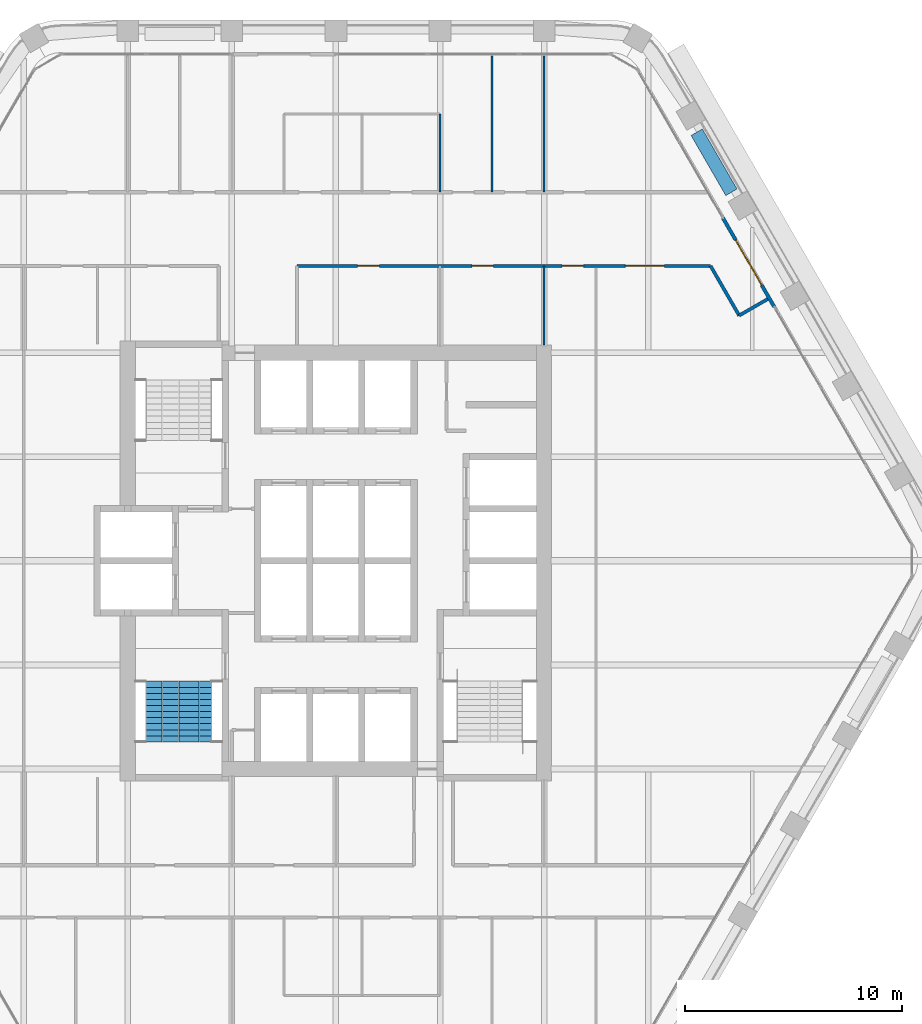
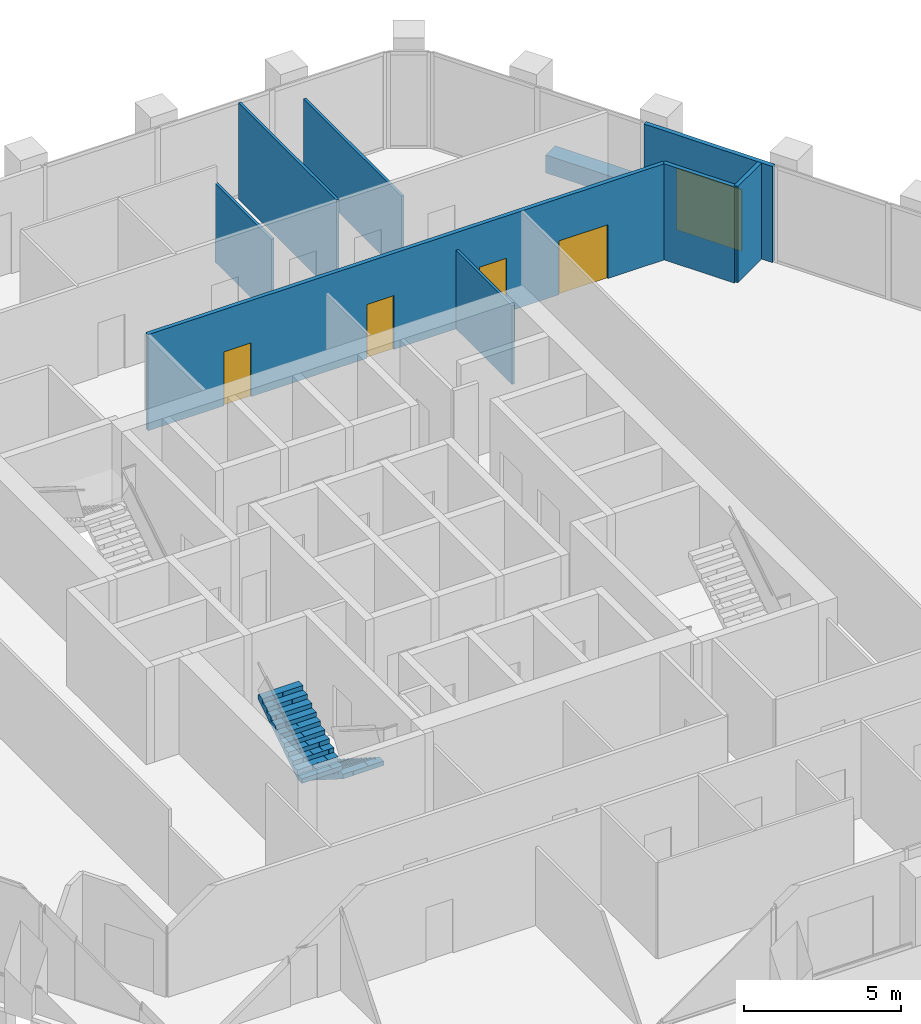
# One storey, part 12 of 15: 9 walls, 5 doors, 2 stair flights, 5 openings, 1 element without a shape of its own.
"""IFC4 building model written with IfcOpenShell, lengths in metres."""

from ifc_helpers import new_model, si_unit, direction, frame, frame_2d, origin, place, context, subcontext, project, spatial, polyline, rectangle, outline, extrude, material, layer, layer_set, type_object, element, fill, aggregate, save


model = new_model("IFC4")

# Units and contexts
model_context = context("Model", 3, precision=1e-05, world=origin(), true_north=direction((0.0, 1.0)))
body_context = subcontext(model_context, "Body", "Model", "MODEL_VIEW")
ifc_project = project(units=[si_unit("LENGTHUNIT", "METRE"), si_unit("AREAUNIT", "SQUARE_METRE"), si_unit("VOLUMEUNIT", "CUBIC_METRE"), si_unit("PLANEANGLEUNIT", "RADIAN"), si_unit("MASSUNIT", "GRAM", prefix="KILO")], contexts=[model_context])

# Site, building, storey
site_placement = place(None, origin())
site = spatial("IfcSite", under=ifc_project, at=site_placement, CompositionType="ELEMENT")
building_placement = place(site_placement, origin())
building = spatial("IfcBuilding", under=site, at=building_placement, Name="Kolab Exchange Tower", CompositionType="ELEMENT")
storey_placement = place(building_placement, frame((0.0, 0.0, 170.0)))
storey = spatial("IfcBuildingStorey", under=building, at=storey_placement, Name="L35", CompositionType="ELEMENT", Elevation=170.0)

# Wall, opening, door
ifc_material_1 = material(Name="Aluminium EN AW-6063 T6", Category="aluminium")
ifc_layer_1 = layer(ifc_material_1, 0.159912109375)
ifc_layer_set_1 = layer_set([ifc_layer_1], Name="Aluminium EN AW-6063 T6")
wall_type_1 = type_object("IfcWallType", Name="DOOR SURROUND WALL 160 ALUMINIUM FRAMED", PredefinedType="PARTITIONING", material=ifc_layer_set_1)
wall_1_placement = place(storey_placement, frame((17.8466796875, 15.811767578125, 0.0), z_axis=(0.0, 0.0, 1.0), x_axis=(0.5000167099, -0.866015756104, 0.0)))
wall_1 = element("IfcWall", 1, at=wall_1_placement, inside=storey, type_object=wall_type_1, Name="Door surround wall", PredefinedType="PARTITIONING", context=body_context, shape_type="SweptSolid", body=[
    extrude(rectangle(XDim=4.739990234375, YDim=0.159912109375, at=frame_2d((2.3701171875, 0.0))), origin(), (0.0, 0.0, 1.0), 3.75),
])
opening_1_placement = place(wall_1_placement, frame((1.169921875, 0.0, 0.0)))
opening_1 = element("IfcOpeningElement", 2, at=opening_1_placement, cuts=wall_1, Name="Opening GD1-065", PredefinedType="OPENING", context=body_context, shape_type="SweptSolid", body=[
    extrude(rectangle(XDim=2.39990234375, YDim=2.39990234375, at=frame_2d((1.199951171875, 1.199951171875))), frame((0.0, 0.08984375, 0.0), z_axis=(0.0, -1.0, 0.0), x_axis=(1.0, 0.0, 0.0)), (0.0, 0.0, 1.0), 0.179931640625),
])
door_type_1 = type_object("IfcDoorType", Name="LOGGIA SLIDING GLASS DOOR 2400 X 2400", OperationType="DOUBLE_DOOR_SINGLE_SWING", PredefinedType="DOOR", material=ifc_material_1)
door_1_placement = place(opening_1_placement, origin())
door_1 = element("IfcDoor", 3, at=door_1_placement, inside=storey, type_object=door_type_1, Name="Loggia door", OperationType="DOUBLE_DOOR_SLIDING", OverallHeight=2.39990234375, OverallWidth=2.39990234375, PredefinedType="DOOR", context=body_context, shape_type="SweptSolid", body=[
    extrude(rectangle(XDim=2.39990234375, YDim=2.39990234375, at=frame_2d((1.199951171875, 1.199951171875))), frame((0.0, 0.02490234375, 0.0), z_axis=(0.0, -1.0, 0.0), x_axis=(1.0, 0.0, 0.0)), (0.0, 0.0, 1.0), 0.050048828125),
])
fill(opening_1, door_1)

# Walls
ifc_material_2 = material(Name="Gypsum board", Category="gypsum")
ifc_layer_2 = layer(ifc_material_2, 0.10009765625)
ifc_layer_set_2 = layer_set([ifc_layer_2], Name="Gypsum board")
wall_type_2 = type_object("IfcWallType", Name="PARTITION 100", PredefinedType="PARTITIONING", material=ifc_layer_set_2)
wall_2_placement = place(storey_placement, frame((9.60009765625, 9.949951171875, 0.0), z_axis=(0.0, 0.0, 1.0), x_axis=(0.0, 1.0, 0.0)))
element("IfcWall", 4, at=wall_2_placement, inside=storey, type_object=wall_type_2, Name="Partition 003", PredefinedType="PARTITIONING", context=body_context, shape_type="SweptSolid", body=[
    extrude(rectangle(XDim=3.650146484375, YDim=0.10009765625, at=frame_2d((1.8251953125, 0.0))), origin(), (0.0, 0.0, 1.0), 3.06591796875),
])
wall_3_placement = place(storey_placement, frame((9.60009765625, 17.0, 0.0), z_axis=(0.0, 0.0, 1.0), x_axis=(0.0, 1.0, 0.0)))
element("IfcWall", 5, at=wall_3_placement, inside=storey, type_object=wall_type_2, Name="Partition 004", PredefinedType="PARTITIONING", context=body_context, shape_type="SweptSolid", body=[
    extrude(rectangle(XDim=6.271484375, YDim=0.10009765625, at=frame_2d((3.1357421875, 0.0))), origin(), (0.0, 0.0, 1.0), 3.06591796875),
])
wall_4_placement = place(storey_placement, frame((7.199951171875, 17.0, 0.0), z_axis=(0.0, 0.0, 1.0), x_axis=(0.0, 1.0, 0.0)))
element("IfcWall", 6, at=wall_4_placement, inside=storey, type_object=wall_type_2, Name="Partition 006", PredefinedType="PARTITIONING", context=body_context, shape_type="SweptSolid", body=[
    extrude(rectangle(XDim=6.271484375, YDim=0.10009765625, at=frame_2d((3.1357421875, 0.0))), origin(), (0.0, 0.0, 1.0), 3.75),
])
wall_5_placement = place(storey_placement, frame((4.800048828125, 17.0, 0.0), z_axis=(0.0, 0.0, 1.0), x_axis=(0.0, 1.0, 0.0)))
element("IfcWall", 7, at=wall_5_placement, inside=storey, type_object=wall_type_2, Name="Partition 011", PredefinedType="PARTITIONING", context=body_context, shape_type="SweptSolid", body=[
    extrude(rectangle(XDim=3.60009765625, YDim=0.10009765625, at=frame_2d((1.800048828125, 0.0))), origin(), (0.0, 0.0, 1.0), 3.06591796875),
])
ifc_layer_3 = layer(ifc_material_2, 0.14990234375)
ifc_layer_set_3 = layer_set([ifc_layer_3], Name="Gypsum board")
wall_type_3 = type_object("IfcWallType", Name="PARTITION 150 FIRE-RATED", PredefinedType="PARTITIONING", material=ifc_layer_set_3)
wall_6_placement = place(storey_placement, frame((17.276123046875, 13.60009765625, 0.0), z_axis=(0.0, 0.0, 1.0), x_axis=(0.499938597367, -0.866060851709, 0.0)))
element("IfcWall", 8, at=wall_6_placement, inside=storey, type_object=wall_type_3, Name="Partition 031", PredefinedType="PARTITIONING", context=body_context, shape_type="SweptSolid", body=[
    extrude(rectangle(XDim=2.639892578125, YDim=0.14990234375, at=frame_2d((1.31982421875, 0.0))), origin(), (0.0, 0.0, 1.0), 3.75),
])
wall_7_placement = place(storey_placement, frame((18.595947265625, 11.313720703125, 0.0), z_axis=(0.0, 0.0, 1.0), x_axis=(0.866030456496, 0.499991248344, 0.0)))
element("IfcWall", 9, at=wall_7_placement, inside=storey, type_object=wall_type_3, Name="Partition 033", PredefinedType="PARTITIONING", context=body_context, shape_type="SweptSolid", body=[
    extrude(rectangle(XDim=1.52001953125, YDim=0.14990234375, at=frame_2d((0.760009765625, 0.0))), origin(), (0.0, 0.0, 1.0), 3.75),
])

# Wall, openings, doors
wall_8_placement = place(storey_placement, frame((-1.800048828125, 13.60009765625, 0.0), z_axis=(0.0, 0.0, 1.0), x_axis=(1.0, 0.0, 0.0)))
wall_8 = element("IfcWall", 10, at=wall_8_placement, inside=storey, type_object=wall_type_3, Name="Partition 041", PredefinedType="PARTITIONING", context=body_context, shape_type="SweptSolid", body=[
    extrude(rectangle(XDim=19.076171875, YDim=0.14990234375, at=frame_2d((9.5380859375, 0.0))), origin(), (0.0, 0.0, 1.0), 3.75),
])
opening_2_placement = place(wall_8_placement, frame((2.800048828125, 0.0, 0.0)))
opening_2 = element("IfcOpeningElement", 11, at=opening_2_placement, cuts=wall_8, Name="Opening D1-473", PredefinedType="OPENING", context=body_context, shape_type="SweptSolid", body=[
    extrude(rectangle(XDim=1.0, YDim=2.10009765625, at=frame_2d((0.5, 1.050048828125))), frame((0.0, 0.0849609375, 0.0), z_axis=(0.0, -1.0, 0.0), x_axis=(1.0, 0.0, 0.0)), (0.0, 0.0, 1.0), 0.169921875),
])
opening_3_placement = place(wall_8_placement, frame((8.06494140625, 0.0, 0.0)))
opening_3 = element("IfcOpeningElement", 12, at=opening_3_placement, cuts=wall_8, Name="Opening D1-474", PredefinedType="OPENING", context=body_context, shape_type="SweptSolid", body=[
    extrude(rectangle(XDim=1.0, YDim=2.10009765625, at=frame_2d((0.5, 1.050048828125))), frame((0.0, 0.0849609375, 0.0), z_axis=(0.0, -1.0, 0.0), x_axis=(1.0, 0.0, 0.0)), (0.0, 0.0, 1.0), 0.169921875),
])
opening_4_placement = place(wall_8_placement, frame((12.22509765625, 0.0, 0.0)))
opening_4 = element("IfcOpeningElement", 13, at=opening_4_placement, cuts=wall_8, Name="Opening D1-492", PredefinedType="OPENING", context=body_context, shape_type="SweptSolid", body=[
    extrude(rectangle(XDim=1.0, YDim=2.10009765625, at=frame_2d((0.5, 1.050048828125))), frame((0.0, 0.0849609375, 0.0), z_axis=(0.0, -1.0, 0.0), x_axis=(1.0, 0.0, 0.0)), (0.0, 0.0, 1.0), 0.169921875),
])
opening_5_placement = place(wall_8_placement, frame((15.151611328125, 0.0, 0.0)))
opening_5 = element("IfcOpeningElement", 14, at=opening_5_placement, cuts=wall_8, Name="Opening D2-050", PredefinedType="OPENING", context=body_context, shape_type="SweptSolid", body=[
    extrude(rectangle(XDim=1.800048828125, YDim=2.10009765625, at=frame_2d((0.89990234375, 1.050048828125))), frame((0.0, 0.0849609375, 0.0), z_axis=(0.0, -1.0, 0.0), x_axis=(1.0, 0.0, 0.0)), (0.0, 0.0, 1.0), 0.169921875),
])
ifc_material_3 = material(Name="Steel S235", Category="steel")
door_type_2 = type_object("IfcDoorType", Name="DOUBLE DOOR 1800 FD60", OperationType="DOUBLE_DOOR_SINGLE_SWING", PredefinedType="DOOR", material=ifc_material_3)
door_2_placement = place(opening_5_placement, frame((1.800048828125, 0.0, 0.0), z_axis=(0.0, 0.0, 1.0), x_axis=(-1.0, 0.0, 0.0)))
door_2 = element("IfcDoor", 15, at=door_2_placement, inside=storey, type_object=door_type_2, Name="Door L35-054", OperationType="SINGLE_SWING_LEFT", OverallHeight=2.10009765625, OverallWidth=1.800048828125, PredefinedType="DOOR", context=body_context, shape_type="SweptSolid", body=[
    extrude(rectangle(XDim=1.800048828125, YDim=2.10009765625, at=frame_2d((0.89990234375, 1.050048828125))), frame((0.0, 0.02490234375, 0.0), z_axis=(0.0, -1.0, 0.0), x_axis=(1.0, 0.0, 0.0)), (0.0, 0.0, 1.0), 0.050048828125),
])
fill(opening_5, door_2)
door_type_3 = type_object("IfcDoorType", Name="FLUSH DOOR 1000 FD60", OperationType="SINGLE_SWING_LEFT", PredefinedType="DOOR", material=ifc_material_3)
door_3_placement = place(opening_2_placement, frame((1.0, 0.0, 0.0), z_axis=(0.0, 0.0, 1.0), x_axis=(-1.0, 0.0, 0.0)))
door_3 = element("IfcDoor", 16, at=door_3_placement, inside=storey, type_object=door_type_3, Name="Door L35-031", OperationType="SINGLE_SWING_LEFT", OverallHeight=2.10009765625, OverallWidth=1.0, PredefinedType="DOOR", context=body_context, shape_type="SweptSolid", body=[
    extrude(rectangle(XDim=1.0, YDim=2.10009765625, at=frame_2d((0.5, 1.050048828125))), frame((0.0, 0.02490234375, 0.0), z_axis=(0.0, -1.0, 0.0), x_axis=(1.0, 0.0, 0.0)), (0.0, 0.0, 1.0), 0.050048828125),
])
fill(opening_2, door_3)
door_4_placement = place(opening_3_placement, frame((1.0, 0.0, 0.0), z_axis=(0.0, 0.0, 1.0), x_axis=(-1.0, 0.0, 0.0)))
door_4 = element("IfcDoor", 17, at=door_4_placement, inside=storey, type_object=door_type_3, Name="Door L35-032", OperationType="SINGLE_SWING_LEFT", OverallHeight=2.10009765625, OverallWidth=1.0, PredefinedType="DOOR", context=body_context, shape_type="SweptSolid", body=[
    extrude(rectangle(XDim=1.0, YDim=2.10009765625, at=frame_2d((0.5, 1.050048828125))), frame((0.0, 0.02490234375, 0.0), z_axis=(0.0, -1.0, 0.0), x_axis=(1.0, 0.0, 0.0)), (0.0, 0.0, 1.0), 0.050048828125),
])
fill(opening_3, door_4)
door_5_placement = place(opening_4_placement, frame((1.0, 0.0, 0.0), z_axis=(0.0, 0.0, 1.0), x_axis=(-1.0, 0.0, 0.0)))
door_5 = element("IfcDoor", 18, at=door_5_placement, inside=storey, type_object=door_type_3, Name="Door L35-053", OperationType="SINGLE_SWING_RIGHT", OverallHeight=2.10009765625, OverallWidth=1.0, PredefinedType="DOOR", context=body_context, shape_type="SweptSolid", body=[
    extrude(rectangle(XDim=1.0, YDim=2.10009765625, at=frame_2d((0.5, 1.050048828125))), frame((0.0, 0.02490234375, 0.0), z_axis=(0.0, -1.0, 0.0), x_axis=(1.0, 0.0, 0.0)), (0.0, 0.0, 1.0), 0.050048828125),
])
fill(opening_4, door_5)

# Wall
ifc_material_4 = material(Name="Granite facing", Category="masonry")
ifc_layer_4 = layer(ifc_material_4, 0.0400390625)
ifc_material_5 = material(Name="Concrete C40/50 precast", Category="concrete")
ifc_layer_5 = layer(ifc_material_5, 0.56005859375)
ifc_layer_set_4 = layer_set([ifc_layer_4, ifc_layer_5], Name="Concrete C40/50 precast")
wall_type_4 = type_object("IfcWallType", Name="PLANTER BOX 600 X 700 SOIL DEPTH 550", PredefinedType="USERDEFINED", material=ifc_layer_set_4)
wall_9_placement = place(storey_placement, frame((16.636962890625, 19.766845703125, 0.0), z_axis=(0.0, 0.0, 1.0), x_axis=(0.500028443584, -0.866008981251, 0.0)))
element("IfcWall", 19, at=wall_9_placement, inside=storey, type_object=wall_type_4, Name="Planter", ObjectType="PLANTER", PredefinedType="USERDEFINED", context=body_context, shape_type="SweptSolid", body=[
    extrude(rectangle(XDim=3.199951171875, YDim=0.60009765625, at=frame_2d((1.60009765625, 0.0))), origin(), (0.0, 0.0, 1.0), 0.699951171875),
])

# Stair, stair flights
ifc_material_6 = material(Name="Concrete C50/60", Category="concrete")
stair_type = type_object("IfcStairType", Name="STAIR ST3 RISER 177.3", PredefinedType="HALF_TURN_STAIR", material=ifc_material_6)
stair_placement = place(storey_placement, origin())
stair = element("IfcStair", 20, at=stair_placement, inside=storey, type_object=stair_type, Name="Stair 3", PredefinedType="HALF_TURN_STAIR")
stair_flight_type = type_object("IfcStairFlightType", Name="STAIR FLIGHT 1500 RISER 177.3", PredefinedType="STRAIGHT", material=ifc_material_6)
stair_flight_1_placement = place(storey_placement, frame((-6.489990234375, -5.550048828125, 0.0), z_axis=(0.0, 0.0, 1.0), x_axis=(0.0, -1.0, 0.0)))
stair_flight_1 = element("IfcStairFlight", 21, at=stair_flight_1_placement, type_object=stair_flight_type, Name="ST3 flight 1", NumberOfRisers=11, NumberOfTreads=10, PredefinedType="STRAIGHT", RiserHeight=0.177272727, TreadLength=0.28, context=body_context, shape_type="SweptSolid", body=[
    extrude(outline(polyline([(0.0, 0.0), (0.0, 0.17724609375), (0.280029296875, 0.17724609375), (0.280029296875, 0.3544921875), (0.56005859375, 0.3544921875), (0.56005859375, 0.53173828125), (0.840087890625, 0.53173828125), (0.840087890625, 0.708984375), (1.1201171875, 0.708984375), (1.1201171875, 0.886474609375), (1.39990234375, 0.886474609375), (1.39990234375, 1.063720703125), (1.679931640625, 1.063720703125), (1.679931640625, 1.240966796875), (1.9599609375, 1.240966796875), (1.9599609375, 1.418212890625), (2.239990234375, 1.418212890625), (2.239990234375, 1.595458984375), (2.52001953125, 1.595458984375), (2.52001953125, 1.772705078125), (2.800048828125, 1.772705078125), (2.800048828125, 1.949951171875), (2.800048828125, 1.59521484375), (0.2802734375, 0.0), (0.0, 0.0)])), frame((0.0, 0.75, 0.0), z_axis=(0.0, -1.0, 0.0), x_axis=(1.0, 0.0, 0.0)), (0.0, 0.0, 1.0), 0.185791015625),
    extrude(outline(polyline([(0.0, 0.0), (0.0, 0.17724609375), (0.280029296875, 0.17724609375), (0.280029296875, 0.3544921875), (0.56005859375, 0.3544921875), (0.56005859375, 0.53173828125), (0.840087890625, 0.53173828125), (0.840087890625, 0.708984375), (1.1201171875, 0.708984375), (1.1201171875, 0.886474609375), (1.39990234375, 0.886474609375), (1.39990234375, 1.063720703125), (1.679931640625, 1.063720703125), (1.679931640625, 1.240966796875), (1.9599609375, 1.240966796875), (1.9599609375, 1.418212890625), (2.239990234375, 1.418212890625), (2.239990234375, 1.595458984375), (2.52001953125, 1.595458984375), (2.52001953125, 1.772705078125), (2.800048828125, 1.772705078125), (2.800048828125, 1.949951171875), (2.800048828125, 1.59521484375), (0.2802734375, 0.0), (0.0, 0.0)])), frame((0.0, 0.562255859375, 0.0), z_axis=(0.0, -1.0, 0.0), x_axis=(1.0, 0.0, 0.0)), (0.0, 0.0, 1.0), 0.185791015625),
    extrude(outline(polyline([(0.0, 0.0), (0.0, 0.17724609375), (0.280029296875, 0.17724609375), (0.280029296875, 0.3544921875), (0.56005859375, 0.3544921875), (0.56005859375, 0.53173828125), (0.840087890625, 0.53173828125), (0.840087890625, 0.708984375), (1.1201171875, 0.708984375), (1.1201171875, 0.886474609375), (1.39990234375, 0.886474609375), (1.39990234375, 1.063720703125), (1.679931640625, 1.063720703125), (1.679931640625, 1.240966796875), (1.9599609375, 1.240966796875), (1.9599609375, 1.418212890625), (2.239990234375, 1.418212890625), (2.239990234375, 1.595458984375), (2.52001953125, 1.595458984375), (2.52001953125, 1.772705078125), (2.800048828125, 1.772705078125), (2.800048828125, 1.949951171875), (2.800048828125, 1.59521484375), (0.2802734375, 0.0), (0.0, 0.0)])), frame((0.0, 0.37451171875, 0.0), z_axis=(0.0, -1.0, 0.0), x_axis=(1.0, 0.0, 0.0)), (0.0, 0.0, 1.0), 0.185791015625),
    extrude(outline(polyline([(0.0, 0.0), (0.0, 0.17724609375), (0.280029296875, 0.17724609375), (0.280029296875, 0.3544921875), (0.56005859375, 0.3544921875), (0.56005859375, 0.53173828125), (0.840087890625, 0.53173828125), (0.840087890625, 0.708984375), (1.1201171875, 0.708984375), (1.1201171875, 0.886474609375), (1.39990234375, 0.886474609375), (1.39990234375, 1.063720703125), (1.679931640625, 1.063720703125), (1.679931640625, 1.240966796875), (1.9599609375, 1.240966796875), (1.9599609375, 1.418212890625), (2.239990234375, 1.418212890625), (2.239990234375, 1.595458984375), (2.52001953125, 1.595458984375), (2.52001953125, 1.772705078125), (2.800048828125, 1.772705078125), (2.800048828125, 1.949951171875), (2.800048828125, 1.59521484375), (0.2802734375, 0.0), (0.0, 0.0)])), frame((0.0, 0.186767578125, 0.0), z_axis=(0.0, -1.0, 0.0), x_axis=(1.0, 0.0, 0.0)), (0.0, 0.0, 1.0), 0.185791015625),
    extrude(outline(polyline([(0.0, 0.0), (0.0, 0.17724609375), (0.280029296875, 0.17724609375), (0.280029296875, 0.3544921875), (0.56005859375, 0.3544921875), (0.56005859375, 0.53173828125), (0.840087890625, 0.53173828125), (0.840087890625, 0.708984375), (1.1201171875, 0.708984375), (1.1201171875, 0.886474609375), (1.39990234375, 0.886474609375), (1.39990234375, 1.063720703125), (1.679931640625, 1.063720703125), (1.679931640625, 1.240966796875), (1.9599609375, 1.240966796875), (1.9599609375, 1.418212890625), (2.239990234375, 1.418212890625), (2.239990234375, 1.595458984375), (2.52001953125, 1.595458984375), (2.52001953125, 1.772705078125), (2.800048828125, 1.772705078125), (2.800048828125, 1.949951171875), (2.800048828125, 1.59521484375), (0.2802734375, 0.0), (0.0, 0.0)])), frame((0.0, -0.0009765625, 0.0), z_axis=(0.0, -1.0, 0.0), x_axis=(1.0, 0.0, 0.0)), (0.0, 0.0, 1.0), 0.185791015625),
    extrude(outline(polyline([(0.0, 0.0), (0.0, 0.17724609375), (0.280029296875, 0.17724609375), (0.280029296875, 0.3544921875), (0.56005859375, 0.3544921875), (0.56005859375, 0.53173828125), (0.840087890625, 0.53173828125), (0.840087890625, 0.708984375), (1.1201171875, 0.708984375), (1.1201171875, 0.886474609375), (1.39990234375, 0.886474609375), (1.39990234375, 1.063720703125), (1.679931640625, 1.063720703125), (1.679931640625, 1.240966796875), (1.9599609375, 1.240966796875), (1.9599609375, 1.418212890625), (2.239990234375, 1.418212890625), (2.239990234375, 1.595458984375), (2.52001953125, 1.595458984375), (2.52001953125, 1.772705078125), (2.800048828125, 1.772705078125), (2.800048828125, 1.949951171875), (2.800048828125, 1.59521484375), (0.2802734375, 0.0), (0.0, 0.0)])), frame((0.0, -0.188720703125, 0.0), z_axis=(0.0, -1.0, 0.0), x_axis=(1.0, 0.0, 0.0)), (0.0, 0.0, 1.0), 0.185791015625),
    extrude(outline(polyline([(0.0, 0.0), (0.0, 0.17724609375), (0.280029296875, 0.17724609375), (0.280029296875, 0.3544921875), (0.56005859375, 0.3544921875), (0.56005859375, 0.53173828125), (0.840087890625, 0.53173828125), (0.840087890625, 0.708984375), (1.1201171875, 0.708984375), (1.1201171875, 0.886474609375), (1.39990234375, 0.886474609375), (1.39990234375, 1.063720703125), (1.679931640625, 1.063720703125), (1.679931640625, 1.240966796875), (1.9599609375, 1.240966796875), (1.9599609375, 1.418212890625), (2.239990234375, 1.418212890625), (2.239990234375, 1.595458984375), (2.52001953125, 1.595458984375), (2.52001953125, 1.772705078125), (2.800048828125, 1.772705078125), (2.800048828125, 1.949951171875), (2.800048828125, 1.59521484375), (0.2802734375, 0.0), (0.0, 0.0)])), frame((0.0, -0.37646484375, 0.0), z_axis=(0.0, -1.0, 0.0), x_axis=(1.0, 0.0, 0.0)), (0.0, 0.0, 1.0), 0.185791015625),
    extrude(outline(polyline([(0.0, 0.0), (0.0, 0.17724609375), (0.280029296875, 0.17724609375), (0.280029296875, 0.3544921875), (0.56005859375, 0.3544921875), (0.56005859375, 0.53173828125), (0.840087890625, 0.53173828125), (0.840087890625, 0.708984375), (1.1201171875, 0.708984375), (1.1201171875, 0.886474609375), (1.39990234375, 0.886474609375), (1.39990234375, 1.063720703125), (1.679931640625, 1.063720703125), (1.679931640625, 1.240966796875), (1.9599609375, 1.240966796875), (1.9599609375, 1.418212890625), (2.239990234375, 1.418212890625), (2.239990234375, 1.595458984375), (2.52001953125, 1.595458984375), (2.52001953125, 1.772705078125), (2.800048828125, 1.772705078125), (2.800048828125, 1.949951171875), (2.800048828125, 1.59521484375), (0.2802734375, 0.0), (0.0, 0.0)])), frame((0.0, -0.564208984375, 0.0), z_axis=(0.0, -1.0, 0.0), x_axis=(1.0, 0.0, 0.0)), (0.0, 0.0, 1.0), 0.185791015625),
])
stair_flight_2_placement = place(storey_placement, frame((-8.010009765625, -8.35009765625, 1.949951171875), z_axis=(0.0, 0.0, 1.0), x_axis=(0.0, 1.0, 0.0)))
stair_flight_2 = element("IfcStairFlight", 22, at=stair_flight_2_placement, type_object=stair_flight_type, Name="ST3 flight 2", NumberOfRisers=11, NumberOfTreads=10, PredefinedType="STRAIGHT", RiserHeight=0.177272727, TreadLength=0.28, context=body_context, shape_type="SweptSolid", body=[
    extrude(outline(polyline([(0.0, 0.0), (0.0, 0.17724609375), (0.280029296875, 0.17724609375), (0.280029296875, 0.3544921875), (0.56005859375, 0.3544921875), (0.56005859375, 0.53173828125), (0.840087890625, 0.53173828125), (0.840087890625, 0.708984375), (1.1201171875, 0.708984375), (1.1201171875, 0.886474609375), (1.39990234375, 0.886474609375), (1.39990234375, 1.063720703125), (1.679931640625, 1.063720703125), (1.679931640625, 1.240966796875), (1.9599609375, 1.240966796875), (1.9599609375, 1.418212890625), (2.239990234375, 1.418212890625), (2.239990234375, 1.595458984375), (2.52001953125, 1.595458984375), (2.52001953125, 1.772705078125), (2.800048828125, 1.772705078125), (2.800048828125, 1.949951171875), (2.800048828125, 1.59521484375), (0.2802734375, 0.0), (0.0, 0.0)])), frame((0.0, 0.75, 0.0), z_axis=(0.0, -1.0, 0.0), x_axis=(1.0, 0.0, 0.0)), (0.0, 0.0, 1.0), 0.185791015625),
    extrude(outline(polyline([(0.0, 0.0), (0.0, 0.17724609375), (0.280029296875, 0.17724609375), (0.280029296875, 0.3544921875), (0.56005859375, 0.3544921875), (0.56005859375, 0.53173828125), (0.840087890625, 0.53173828125), (0.840087890625, 0.708984375), (1.1201171875, 0.708984375), (1.1201171875, 0.886474609375), (1.39990234375, 0.886474609375), (1.39990234375, 1.063720703125), (1.679931640625, 1.063720703125), (1.679931640625, 1.240966796875), (1.9599609375, 1.240966796875), (1.9599609375, 1.418212890625), (2.239990234375, 1.418212890625), (2.239990234375, 1.595458984375), (2.52001953125, 1.595458984375), (2.52001953125, 1.772705078125), (2.800048828125, 1.772705078125), (2.800048828125, 1.949951171875), (2.800048828125, 1.59521484375), (0.2802734375, 0.0), (0.0, 0.0)])), frame((0.0, 0.562255859375, 0.0), z_axis=(0.0, -1.0, 0.0), x_axis=(1.0, 0.0, 0.0)), (0.0, 0.0, 1.0), 0.185791015625),
    extrude(outline(polyline([(0.0, 0.0), (0.0, 0.17724609375), (0.280029296875, 0.17724609375), (0.280029296875, 0.3544921875), (0.56005859375, 0.3544921875), (0.56005859375, 0.53173828125), (0.840087890625, 0.53173828125), (0.840087890625, 0.708984375), (1.1201171875, 0.708984375), (1.1201171875, 0.886474609375), (1.39990234375, 0.886474609375), (1.39990234375, 1.063720703125), (1.679931640625, 1.063720703125), (1.679931640625, 1.240966796875), (1.9599609375, 1.240966796875), (1.9599609375, 1.418212890625), (2.239990234375, 1.418212890625), (2.239990234375, 1.595458984375), (2.52001953125, 1.595458984375), (2.52001953125, 1.772705078125), (2.800048828125, 1.772705078125), (2.800048828125, 1.949951171875), (2.800048828125, 1.59521484375), (0.2802734375, 0.0), (0.0, 0.0)])), frame((0.0, 0.37451171875, 0.0), z_axis=(0.0, -1.0, 0.0), x_axis=(1.0, 0.0, 0.0)), (0.0, 0.0, 1.0), 0.185791015625),
    extrude(outline(polyline([(0.0, 0.0), (0.0, 0.17724609375), (0.280029296875, 0.17724609375), (0.280029296875, 0.3544921875), (0.56005859375, 0.3544921875), (0.56005859375, 0.53173828125), (0.840087890625, 0.53173828125), (0.840087890625, 0.708984375), (1.1201171875, 0.708984375), (1.1201171875, 0.886474609375), (1.39990234375, 0.886474609375), (1.39990234375, 1.063720703125), (1.679931640625, 1.063720703125), (1.679931640625, 1.240966796875), (1.9599609375, 1.240966796875), (1.9599609375, 1.418212890625), (2.239990234375, 1.418212890625), (2.239990234375, 1.595458984375), (2.52001953125, 1.595458984375), (2.52001953125, 1.772705078125), (2.800048828125, 1.772705078125), (2.800048828125, 1.949951171875), (2.800048828125, 1.59521484375), (0.2802734375, 0.0), (0.0, 0.0)])), frame((0.0, 0.186767578125, 0.0), z_axis=(0.0, -1.0, 0.0), x_axis=(1.0, 0.0, 0.0)), (0.0, 0.0, 1.0), 0.185791015625),
    extrude(outline(polyline([(0.0, 0.0), (0.0, 0.17724609375), (0.280029296875, 0.17724609375), (0.280029296875, 0.3544921875), (0.56005859375, 0.3544921875), (0.56005859375, 0.53173828125), (0.840087890625, 0.53173828125), (0.840087890625, 0.708984375), (1.1201171875, 0.708984375), (1.1201171875, 0.886474609375), (1.39990234375, 0.886474609375), (1.39990234375, 1.063720703125), (1.679931640625, 1.063720703125), (1.679931640625, 1.240966796875), (1.9599609375, 1.240966796875), (1.9599609375, 1.418212890625), (2.239990234375, 1.418212890625), (2.239990234375, 1.595458984375), (2.52001953125, 1.595458984375), (2.52001953125, 1.772705078125), (2.800048828125, 1.772705078125), (2.800048828125, 1.949951171875), (2.800048828125, 1.59521484375), (0.2802734375, 0.0), (0.0, 0.0)])), frame((0.0, -0.0009765625, 0.0), z_axis=(0.0, -1.0, 0.0), x_axis=(1.0, 0.0, 0.0)), (0.0, 0.0, 1.0), 0.185791015625),
    extrude(outline(polyline([(0.0, 0.0), (0.0, 0.17724609375), (0.280029296875, 0.17724609375), (0.280029296875, 0.3544921875), (0.56005859375, 0.3544921875), (0.56005859375, 0.53173828125), (0.840087890625, 0.53173828125), (0.840087890625, 0.708984375), (1.1201171875, 0.708984375), (1.1201171875, 0.886474609375), (1.39990234375, 0.886474609375), (1.39990234375, 1.063720703125), (1.679931640625, 1.063720703125), (1.679931640625, 1.240966796875), (1.9599609375, 1.240966796875), (1.9599609375, 1.418212890625), (2.239990234375, 1.418212890625), (2.239990234375, 1.595458984375), (2.52001953125, 1.595458984375), (2.52001953125, 1.772705078125), (2.800048828125, 1.772705078125), (2.800048828125, 1.949951171875), (2.800048828125, 1.59521484375), (0.2802734375, 0.0), (0.0, 0.0)])), frame((0.0, -0.188720703125, 0.0), z_axis=(0.0, -1.0, 0.0), x_axis=(1.0, 0.0, 0.0)), (0.0, 0.0, 1.0), 0.185791015625),
    extrude(outline(polyline([(0.0, 0.0), (0.0, 0.17724609375), (0.280029296875, 0.17724609375), (0.280029296875, 0.3544921875), (0.56005859375, 0.3544921875), (0.56005859375, 0.53173828125), (0.840087890625, 0.53173828125), (0.840087890625, 0.708984375), (1.1201171875, 0.708984375), (1.1201171875, 0.886474609375), (1.39990234375, 0.886474609375), (1.39990234375, 1.063720703125), (1.679931640625, 1.063720703125), (1.679931640625, 1.240966796875), (1.9599609375, 1.240966796875), (1.9599609375, 1.418212890625), (2.239990234375, 1.418212890625), (2.239990234375, 1.595458984375), (2.52001953125, 1.595458984375), (2.52001953125, 1.772705078125), (2.800048828125, 1.772705078125), (2.800048828125, 1.949951171875), (2.800048828125, 1.59521484375), (0.2802734375, 0.0), (0.0, 0.0)])), frame((0.0, -0.37646484375, 0.0), z_axis=(0.0, -1.0, 0.0), x_axis=(1.0, 0.0, 0.0)), (0.0, 0.0, 1.0), 0.185791015625),
    extrude(outline(polyline([(0.0, 0.0), (0.0, 0.17724609375), (0.280029296875, 0.17724609375), (0.280029296875, 0.3544921875), (0.56005859375, 0.3544921875), (0.56005859375, 0.53173828125), (0.840087890625, 0.53173828125), (0.840087890625, 0.708984375), (1.1201171875, 0.708984375), (1.1201171875, 0.886474609375), (1.39990234375, 0.886474609375), (1.39990234375, 1.063720703125), (1.679931640625, 1.063720703125), (1.679931640625, 1.240966796875), (1.9599609375, 1.240966796875), (1.9599609375, 1.418212890625), (2.239990234375, 1.418212890625), (2.239990234375, 1.595458984375), (2.52001953125, 1.595458984375), (2.52001953125, 1.772705078125), (2.800048828125, 1.772705078125), (2.800048828125, 1.949951171875), (2.800048828125, 1.59521484375), (0.2802734375, 0.0), (0.0, 0.0)])), frame((0.0, -0.564208984375, 0.0), z_axis=(0.0, -1.0, 0.0), x_axis=(1.0, 0.0, 0.0)), (0.0, 0.0, 1.0), 0.185791015625),
])
aggregate(stair, [stair_flight_1, stair_flight_2])

save(model, "model.ifc")
